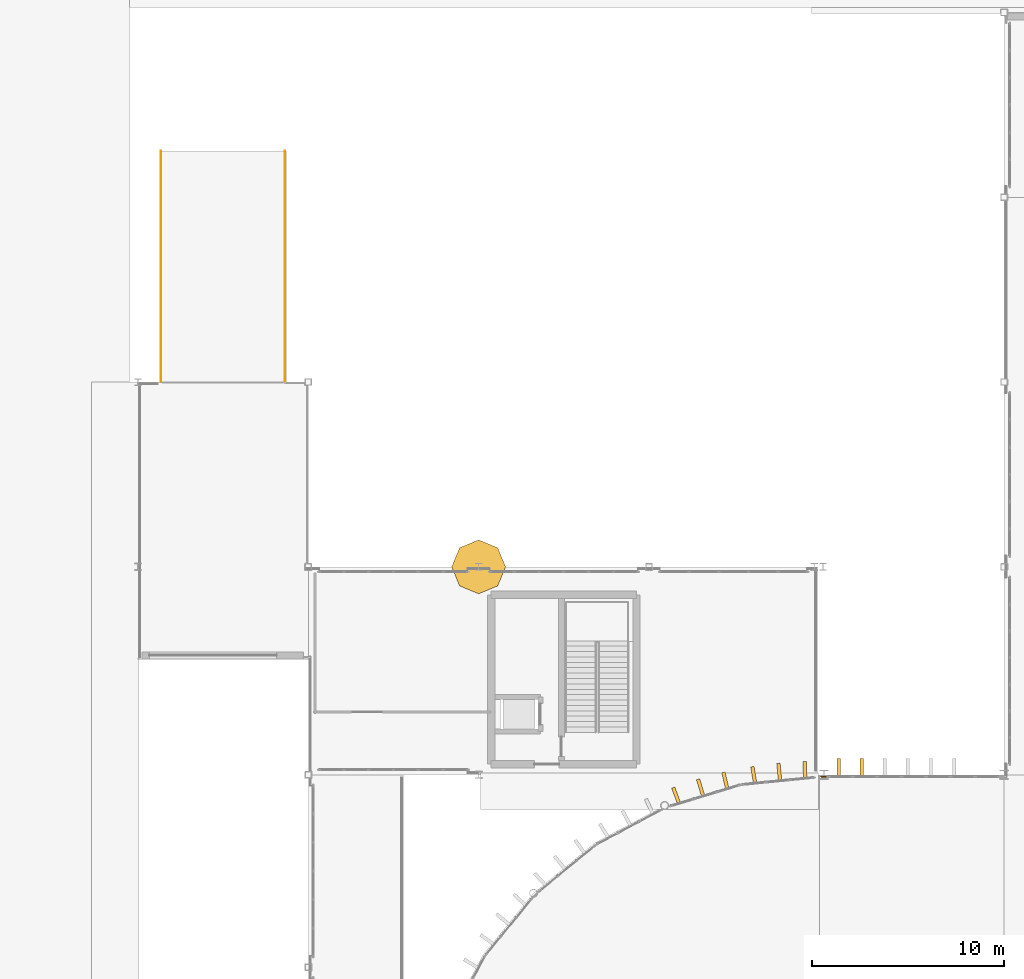
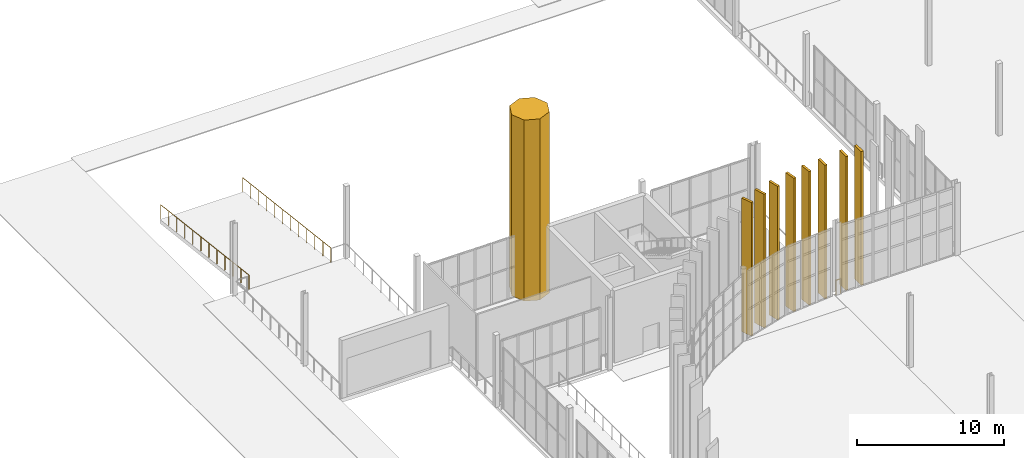
# One storey, part 125 of 139: 9 coverings, 3 railings.
"""IFC4 building model written with IfcOpenShell, lengths in metres."""

from ifc_helpers import new_model, si_unit, direction, frame, origin, origin_2d, place, context, subcontext, project, spatial, polyline, rectangle, circle, outline, extrude, material, layer, layer_set, type_object, element, save


model = new_model("IFC4")

# Units and contexts
model_context = context("Model", 3, precision=1e-05, world=origin(), true_north=direction((0.0, 1.0)))
body_context = subcontext(model_context, "Body", "Model", "MODEL_VIEW")
ifc_project = project(units=[si_unit("LENGTHUNIT", "METRE"), si_unit("AREAUNIT", "SQUARE_METRE"), si_unit("VOLUMEUNIT", "CUBIC_METRE"), si_unit("PLANEANGLEUNIT", "RADIAN"), si_unit("MASSUNIT", "GRAM", prefix="KILO")], contexts=[model_context])

# Site, building, storey
site_placement = place(None, origin())
site = spatial("IfcSite", under=ifc_project, at=site_placement, CompositionType="ELEMENT")
building_placement = place(site_placement, origin())
building = spatial("IfcBuilding", under=site, at=building_placement, Name="Yeouljin Market Hall", CompositionType="ELEMENT")
storey_placement = place(building_placement, origin())
storey = spatial("IfcBuildingStorey", under=building, at=storey_placement, Name="L00", CompositionType="ELEMENT", Elevation=0.0)

# Coverings
ifc_material_1 = material(Name="Clinker Brick Masonry F2-S2", Category="masonry")
ifc_layer_1 = layer(ifc_material_1, 0.5400390625)
ifc_layer_set_1 = layer_set([ifc_layer_1], Name="Clinker Brick Masonry F2-S2")
covering_type_1 = type_object("IfcCoveringType", Name="Covering_Clinker_PleatedPier", PredefinedType="CLADDING", material=ifc_layer_set_1)
covering_placement = place(storey_placement, origin())
element("IfcCovering", 1, at=covering_placement, inside=storey, type_object=covering_type_1, Name="Amsterdam School sculpted brick corner turret C2-PROW", PredefinedType="CLADDING", context=body_context, shape_type="SweptSolid", body=[
    extrude(outline(polyline([(19.10009765625, 88.800048828125), (18.68994140625, 89.789794921875), (17.699951171875, 90.199951171875), (16.710205078125, 89.789794921875), (16.300048828125, 88.800048828125), (16.710205078125, 87.81005859375), (17.699951171875, 87.39990234375), (18.68994140625, 87.81005859375), (19.10009765625, 88.800048828125)])), origin(), (0.0, 0.0, 1.0), 15.050048828125),
])
ifc_material_2 = material(Name="White Limestone and Bronze Solar Fin", Category="masonry")
ifc_layer_2 = layer(ifc_material_2, 0.179931640625)
ifc_layer_set_2 = layer_set([ifc_layer_2], Name="White Limestone and Bronze Solar Fin")
covering_type_2 = type_object("IfcCoveringType", Name="Covering_Limestone_SolarFin", PredefinedType="CLADDING", material=ifc_layer_set_2)
for number, where, z_axis, x_axis, name in (
    (2, (36.39990234375, 78.39990234375, 0.0), (0.0, 0.0, 1.0), (1.0, 0.0, 0.0), "Hall north vertical lantern fin 005"),
    (3, (37.60009765625, 78.39990234375, 0.0), (0.0, 0.0, 1.0), (1.0, 0.0, 0.0), "Hall north vertical lantern fin 006"),
):
    element("IfcCovering", number, at=place(storey_placement, frame(where, z_axis=z_axis, x_axis=x_axis)), inside=storey, type_object=covering_type_2, Name=name, PredefinedType="CLADDING", context=body_context, shape_type="SweptSolid", body=[
        extrude(rectangle(XDim=0.179931640625, YDim=0.8798828125, at=origin_2d()), origin(), (0.0, 0.0, 1.0), 11.1201171875),
    ])
for number, where, z_axis, x_axis, name in (
    (4, (27.96337890625, 76.9169921875, 0.0), (0.0, 0.0, 1.0), (-0.349880399656, 0.936794377618, 0.0), "Apse radial vertical lantern fin west 132"),
    (5, (29.228515625, 77.344482421875, 0.0), (0.0, 0.0, 1.0), (-0.290368184947, 0.956914999972, 0.0), "Apse radial vertical lantern fin west 133"),
    (6, (30.518310546875, 77.69189453125, 0.0), (0.0, 0.0, 1.0), (-0.22954015041, 0.973299193131, 0.0), "Apse radial vertical lantern fin west 134"),
    (7, (31.99169921875, 77.985107421875, 0.0), (0.0, 0.0, 1.0), (-0.160398029092, 0.987052416168, 0.0), "Apse radial vertical lantern fin west 135"),
    (8, (33.316162109375, 78.15771484375, 0.0), (0.0, 0.0, 1.0), (-0.097930293706, 0.995193276492, 0.0), "Apse radial vertical lantern fin west 136"),
    (9, (34.648681640625, 78.24658203125, 0.0), (0.0, 0.0, 1.0), (-0.035248347778, 0.99937858391, 0.0), "Apse radial vertical lantern fin west 137"),
):
    element("IfcCovering", number, at=place(storey_placement, frame(where, z_axis=z_axis, x_axis=x_axis)), inside=storey, type_object=covering_type_2, Name=name, PredefinedType="CLADDING", context=body_context, shape_type="SweptSolid", body=[
        extrude(rectangle(XDim=0.8798828125, YDim=0.179931640625, at=origin_2d()), origin(), (0.0, 0.0, 1.0), 11.10009765625),
    ])

# Railings
ifc_material_3 = material(Name="Wrought Iron and Bronze Gallery Balustrade")
railing_type_1 = type_object("IfcRailingType", Name="Railing_AtriumBalustrade_1200", PredefinedType="BALUSTRADE", material=ifc_material_3)
railing_1_placement = place(storey_placement, frame((35.5, 77.89990234375, 0.0)))
element("IfcRailing", 10, at=railing_1_placement, inside=storey, type_object=railing_type_1, Name="Gallery & deck edge balustrade L00-015", PredefinedType="BALUSTRADE", context=body_context, shape_type="SweptSolid", body=[
    extrude(circle(Radius=0.02392578125, at=origin_2d()), frame((0.0, 0.0, 1.17578125), z_axis=(1.0, 0.0, 0.0), x_axis=(0.0, 1.0, 0.0)), (0.0, 0.0, 1.0), 0.35009765625),
    extrude(circle(Radius=0.02099609375, at=origin_2d()), origin(), (0.0, 0.0, 1.0), 1.15185546875),
    extrude(circle(Radius=0.02099609375, at=origin_2d()), frame((0.35009765625, 0.0, 0.0)), (0.0, 0.0, 1.0), 1.15185546875),
])
ifc_material_4 = material(Name="Architectural Bronze Balustrade")
railing_type_2 = type_object("IfcRailingType", Name="Railing_TerraceGuard_1200", PredefinedType="GUARDRAIL", material=ifc_material_4)
railing_2_placement = place(storey_placement, frame((1.199951171875, 110.39990234375, -1.43994140625)))
element("IfcRailing", 11, at=railing_2_placement, inside=storey, type_object=railing_type_2, Name="Service apron ramp W guardrail", PredefinedType="GUARDRAIL", context=body_context, shape_type="SweptSolid", body=[
    extrude(circle(Radius=0.02392578125, at=origin_2d()), frame((0.0, 0.0, 1.17578125), z_axis=(0.0, -0.992877411981, 0.119140441403), x_axis=(1.0, 0.0, 0.0)), (0.0, 0.0, 1.0), 12.086181640625),
    extrude(circle(Radius=0.02099609375, at=origin_2d()), origin(), (0.0, 0.0, 1.0), 1.15185546875),
    extrude(circle(Radius=0.02099609375, at=origin_2d()), frame((0.0, -1.0908203125, 0.130859375)), (0.0, 0.0, 1.0), 1.15185546875),
    extrude(circle(Radius=0.02099609375, at=origin_2d()), frame((0.0, -2.181884765625, 0.26171875)), (0.0, 0.0, 1.0), 1.15185546875),
    extrude(circle(Radius=0.02099609375, at=origin_2d()), frame((0.0, -3.272705078125, 0.392822265625)), (0.0, 0.0, 1.0), 1.15185546875),
    extrude(circle(Radius=0.02099609375, at=origin_2d()), frame((0.0, -4.363525390625, 0.523681640625)), (0.0, 0.0, 1.0), 1.15185546875),
    extrude(circle(Radius=0.02099609375, at=origin_2d()), frame((0.0, -5.45458984375, 0.654541015625)), (0.0, 0.0, 1.0), 1.15185546875),
    extrude(circle(Radius=0.02099609375, at=origin_2d()), frame((0.0, -6.54541015625, 0.785400390625)), (0.0, 0.0, 1.0), 1.15185546875),
    extrude(circle(Radius=0.02099609375, at=origin_2d()), frame((0.0, -7.636474609375, 0.916259765625)), (0.0, 0.0, 1.0), 1.15185546875),
    extrude(circle(Radius=0.02099609375, at=origin_2d()), frame((0.0, -8.727294921875, 1.047119140625)), (0.0, 0.0, 1.0), 1.15185546875),
    extrude(circle(Radius=0.02099609375, at=origin_2d()), frame((0.0, -9.818115234375, 1.17822265625)), (0.0, 0.0, 1.0), 1.15185546875),
    extrude(circle(Radius=0.02099609375, at=origin_2d()), frame((0.0, -10.9091796875, 1.30908203125)), (0.0, 0.0, 1.0), 1.15185546875),
    extrude(circle(Radius=0.02099609375, at=origin_2d()), frame((0.0, -12.0, 1.43994140625)), (0.0, 0.0, 1.0), 1.15185546875),
])
railing_3_placement = place(storey_placement, frame((7.639892578125, 110.39990234375, -1.43994140625)))
element("IfcRailing", 12, at=railing_3_placement, inside=storey, type_object=railing_type_2, Name="Service apron ramp E guardrail", PredefinedType="GUARDRAIL", context=body_context, shape_type="SweptSolid", body=[
    extrude(circle(Radius=0.02392578125, at=origin_2d()), frame((0.0, 0.0, 1.17578125), z_axis=(0.0, -0.992877411981, 0.119140441403), x_axis=(1.0, 0.0, 0.0)), (0.0, 0.0, 1.0), 12.086181640625),
    extrude(circle(Radius=0.02099609375, at=origin_2d()), origin(), (0.0, 0.0, 1.0), 1.15185546875),
    extrude(circle(Radius=0.02099609375, at=origin_2d()), frame((0.0, -1.0908203125, 0.130859375)), (0.0, 0.0, 1.0), 1.15185546875),
    extrude(circle(Radius=0.02099609375, at=origin_2d()), frame((0.0, -2.181884765625, 0.26171875)), (0.0, 0.0, 1.0), 1.15185546875),
    extrude(circle(Radius=0.02099609375, at=origin_2d()), frame((0.0, -3.272705078125, 0.392822265625)), (0.0, 0.0, 1.0), 1.15185546875),
    extrude(circle(Radius=0.02099609375, at=origin_2d()), frame((0.0, -4.363525390625, 0.523681640625)), (0.0, 0.0, 1.0), 1.15185546875),
    extrude(circle(Radius=0.02099609375, at=origin_2d()), frame((0.0, -5.45458984375, 0.654541015625)), (0.0, 0.0, 1.0), 1.15185546875),
    extrude(circle(Radius=0.02099609375, at=origin_2d()), frame((0.0, -6.54541015625, 0.785400390625)), (0.0, 0.0, 1.0), 1.15185546875),
    extrude(circle(Radius=0.02099609375, at=origin_2d()), frame((0.0, -7.636474609375, 0.916259765625)), (0.0, 0.0, 1.0), 1.15185546875),
    extrude(circle(Radius=0.02099609375, at=origin_2d()), frame((0.0, -8.727294921875, 1.047119140625)), (0.0, 0.0, 1.0), 1.15185546875),
    extrude(circle(Radius=0.02099609375, at=origin_2d()), frame((0.0, -9.818115234375, 1.17822265625)), (0.0, 0.0, 1.0), 1.15185546875),
    extrude(circle(Radius=0.02099609375, at=origin_2d()), frame((0.0, -10.9091796875, 1.30908203125)), (0.0, 0.0, 1.0), 1.15185546875),
    extrude(circle(Radius=0.02099609375, at=origin_2d()), frame((0.0, -12.0, 1.43994140625)), (0.0, 0.0, 1.0), 1.15185546875),
])

save(model, "model.ifc")
